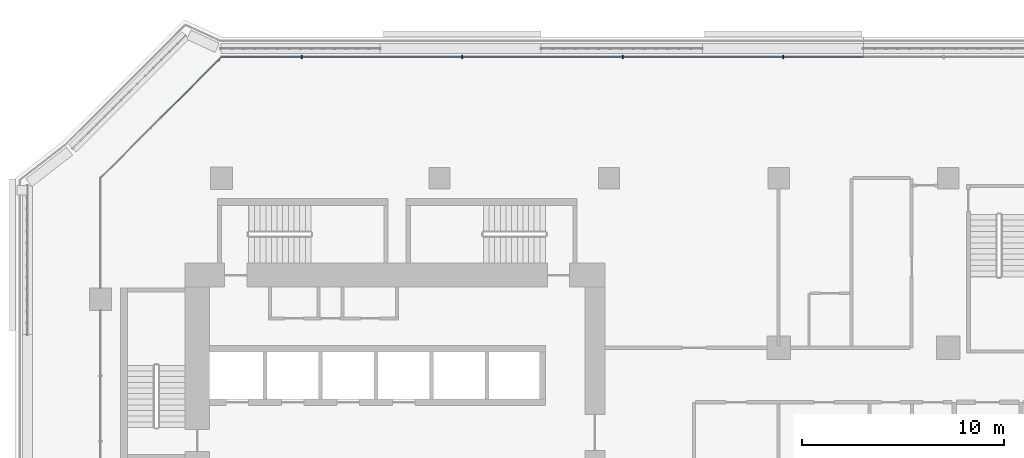
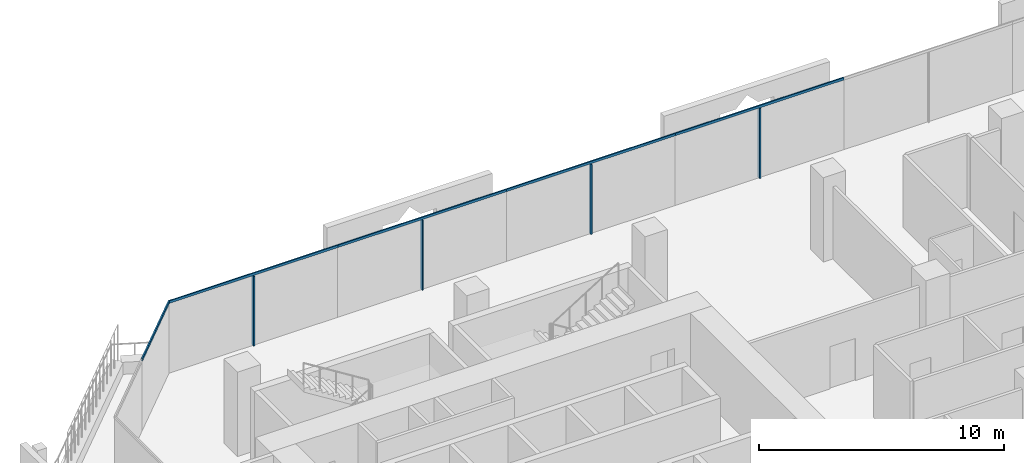
# One storey, part 8 of 26: 9 members, 2 elements without a shape of their own.
"""IFC4 building model written with IfcOpenShell, lengths in metres."""

from ifc_helpers import new_model, si_unit, direction, frame, origin, origin_2d, place, context, subcontext, project, spatial, rectangle, extrude, material, layer, layer_set, material_profile, profile_set, type_object, element, aggregate, save


model = new_model("IFC4")

# Units and contexts
model_context = context("Model", 3, precision=1e-05, world=origin(), true_north=direction((0.0, 1.0)))
body_context = subcontext(model_context, "Body", "Model", "MODEL_VIEW")
ifc_project = project(units=[si_unit("LENGTHUNIT", "METRE"), si_unit("AREAUNIT", "SQUARE_METRE"), si_unit("VOLUMEUNIT", "CUBIC_METRE"), si_unit("PLANEANGLEUNIT", "RADIAN"), si_unit("MASSUNIT", "GRAM", prefix="KILO")], contexts=[model_context])

# Site, building, storey
site_placement = place(None, origin())
site = spatial("IfcSite", under=ifc_project, at=site_placement, CompositionType="ELEMENT")
building_placement = place(site_placement, origin())
building = spatial("IfcBuilding", under=site, at=building_placement, Name="Kawkab Arch Medical Tower", CompositionType="ELEMENT")
storey_placement = place(building_placement, frame((0.0, 0.0, 119.800048828125)))
storey = spatial("IfcBuildingStorey", under=building, at=storey_placement, Name="L27", CompositionType="ELEMENT", Elevation=119.800048828125)

# Curtain wall, members
ifc_material_1 = material(Name="Bronze anodised aluminium curtain wall frame", Category="aluminium")
ifc_layer_1 = layer(ifc_material_1, 0.159912109375)
ifc_layer_set_1 = layer_set([ifc_layer_1], Name="Bronze anodised aluminium curtain wall frame")
curtain_wall_type_1 = type_object("IfcCurtainWallType", Name="CW1 ward curtain wall", PredefinedType="NOTDEFINED", material=ifc_layer_set_1)
placement = place(storey_placement, origin())
curtain_wall_1 = element("IfcCurtainWall", 1, at=placement, inside=storey, type_object=curtain_wall_type_1, Name="CW1 Ward curtain wall R11", PredefinedType="NOTDEFINED")
ifc_material_2 = material(Name="Bronze anodised aluminium curtain wall frame", Category="aluminium")
ifc_material_profile_1 = material_profile(ifc_material_2, rectangle(XDim=0.179931640625, YDim=0.06005859375, at=origin_2d()), Name="AL 60x180")
ifc_profile_set_1 = profile_set([ifc_material_profile_1], Name="Bronze anodised aluminium curtain wall frame")
member_type_1 = type_object("IfcMemberType", Name="CW1 mullion 60 x 180", PredefinedType="MULLION", material=ifc_profile_set_1)
member_1_placement = place(storey_placement, frame((33.824951171875, 6.0, 0.0), z_axis=(0.0, 0.0, 1.0), x_axis=(0.0, -1.0, 0.0)))
member_1 = element("IfcMember", 2, at=member_1_placement, type_object=member_type_1, Name="CW1 mullion 5.1", PredefinedType="MULLION", context=body_context, shape_type="SweptSolid", body=[
    extrude(rectangle(XDim=0.179931640625, YDim=0.06005859375, at=origin_2d()), origin(), (0.0, 0.0, 1.0), 3.47998046875),
])
member_2_placement = place(storey_placement, frame((25.875, 6.0, 0.0), z_axis=(0.0, 0.0, 1.0), x_axis=(0.0, -1.0, 0.0)))
member_2 = element("IfcMember", 3, at=member_2_placement, type_object=member_type_1, Name="CW1 mullion 6.1", PredefinedType="MULLION", context=body_context, shape_type="SweptSolid", body=[
    extrude(rectangle(XDim=0.179931640625, YDim=0.06005859375, at=origin_2d()), origin(), (0.0, 0.0, 1.0), 3.47998046875),
])
member_3_placement = place(storey_placement, frame((17.925048828125, 6.0, 0.0), z_axis=(0.0, 0.0, 1.0), x_axis=(0.0, -1.0, 0.0)))
member_3 = element("IfcMember", 4, at=member_3_placement, type_object=member_type_1, Name="CW1 mullion 7.1", PredefinedType="MULLION", context=body_context, shape_type="SweptSolid", body=[
    extrude(rectangle(XDim=0.179931640625, YDim=0.06005859375, at=origin_2d()), origin(), (0.0, 0.0, 1.0), 3.47998046875),
])
member_4_placement = place(storey_placement, frame((9.97509765625, 6.0, 0.0), z_axis=(0.0, 0.0, 1.0), x_axis=(0.0, -1.0, 0.0)))
member_4 = element("IfcMember", 5, at=member_4_placement, type_object=member_type_1, Name="CW1 mullion 8.1", PredefinedType="MULLION", context=body_context, shape_type="SweptSolid", body=[
    extrude(rectangle(XDim=0.179931640625, YDim=0.06005859375, at=origin_2d()), origin(), (0.0, 0.0, 1.0), 3.47998046875),
])
ifc_material_3 = material(Name="Bronze anodised aluminium curtain wall frame", Category="aluminium")
ifc_material_profile_2 = material_profile(ifc_material_3, rectangle(XDim=0.06005859375, YDim=0.1201171875, at=origin_2d()), Name="AL 60x120")
ifc_profile_set_2 = profile_set([ifc_material_profile_2], Name="Bronze anodised aluminium curtain wall frame")
member_type_2 = type_object("IfcMemberType", Name="CW1 transom 120 x 60", PredefinedType="USERDEFINED", material=ifc_profile_set_2)
member_5_placement = place(storey_placement, frame((37.800048828125, 6.0, 3.5400390625), z_axis=(-1.0, 0.0, 0.0), x_axis=(0.0, -1.0, 0.0)))
member_5 = element("IfcMember", 6, at=member_5_placement, type_object=member_type_2, Name="CW1 transom 5", ObjectType="TRANSOM", PredefinedType="USERDEFINED", context=body_context, shape_type="SweptSolid", body=[
    extrude(rectangle(XDim=0.06005859375, YDim=0.1201171875, at=origin_2d()), origin(), (0.0, 0.0, 1.0), 7.949951171875),
])
member_6_placement = place(storey_placement, frame((29.85009765625, 6.0, 3.5400390625), z_axis=(-1.0, 0.0, 0.0), x_axis=(0.0, -1.0, 0.0)))
member_6 = element("IfcMember", 7, at=member_6_placement, type_object=member_type_2, Name="CW1 transom 6", ObjectType="TRANSOM", PredefinedType="USERDEFINED", context=body_context, shape_type="SweptSolid", body=[
    extrude(rectangle(XDim=0.06005859375, YDim=0.1201171875, at=origin_2d()), origin(), (0.0, 0.0, 1.0), 7.9501953125),
])
member_7_placement = place(storey_placement, frame((21.89990234375, 6.0, 3.5400390625), z_axis=(-1.0, 0.0, 0.0), x_axis=(0.0, -1.0, 0.0)))
member_7 = element("IfcMember", 8, at=member_7_placement, type_object=member_type_2, Name="CW1 transom 7", ObjectType="TRANSOM", PredefinedType="USERDEFINED", context=body_context, shape_type="SweptSolid", body=[
    extrude(rectangle(XDim=0.06005859375, YDim=0.1201171875, at=origin_2d()), origin(), (0.0, 0.0, 1.0), 7.949951171875),
])
member_8_placement = place(storey_placement, frame((13.949951171875, 6.0, 3.5400390625), z_axis=(-1.0, 0.0, 0.0), x_axis=(0.0, -1.0, 0.0)))
member_8 = element("IfcMember", 9, at=member_8_placement, type_object=member_type_2, Name="CW1 transom 8", ObjectType="TRANSOM", PredefinedType="USERDEFINED", context=body_context, shape_type="SweptSolid", body=[
    extrude(rectangle(XDim=0.06005859375, YDim=0.1201171875, at=origin_2d()), origin(), (0.0, 0.0, 1.0), 7.949951171875),
])
aggregate(curtain_wall_1, [member_5, member_1, member_6, member_2, member_7, member_3, member_8, member_4])

# Curtain wall, member
ifc_material_4 = material(Name="Bronze anodised aluminium curtain wall frame", Category="aluminium")
ifc_layer_2 = layer(ifc_material_4, 0.159912109375)
ifc_layer_set_2 = layer_set([ifc_layer_2], Name="Bronze anodised aluminium curtain wall frame")
curtain_wall_type_2 = type_object("IfcCurtainWallType", Name="CW2 chamfer curtain wall", PredefinedType="NOTDEFINED", material=ifc_layer_set_2)
curtain_wall_2 = element("IfcCurtainWall", 10, at=placement, inside=storey, type_object=curtain_wall_type_2, Name="CW2 Chamfer curtain wall R12", PredefinedType="NOTDEFINED")
ifc_material_5 = material(Name="Bronze anodised aluminium curtain wall frame", Category="aluminium")
ifc_material_profile_3 = material_profile(ifc_material_5, rectangle(XDim=0.06005859375, YDim=0.139892578125, at=origin_2d()), Name="AL 60x140")
ifc_profile_set_3 = profile_set([ifc_material_profile_3], Name="Bronze anodised aluminium curtain wall frame")
member_type_3 = type_object("IfcMemberType", Name="CW2 transom 140 x 60", PredefinedType="USERDEFINED", material=ifc_profile_set_3)
member_9_placement = place(storey_placement, frame((6.0, 6.0, 3.530029296875), z_axis=(-0.707106781187, -0.707106781187, 0.0), x_axis=(0.707106781187, -0.707106781187, 0.0)))
member_9 = element("IfcMember", 11, at=member_9_placement, type_object=member_type_3, Name="CW2 transom 1", ObjectType="TRANSOM", PredefinedType="USERDEFINED", context=body_context, shape_type="SweptSolid", body=[
    extrude(rectangle(XDim=0.06005859375, YDim=0.139892578125, at=origin_2d()), origin(), (0.0, 0.0, 1.0), 4.24267578125),
])
aggregate(curtain_wall_2, [member_9])

save(model, "model.ifc")
